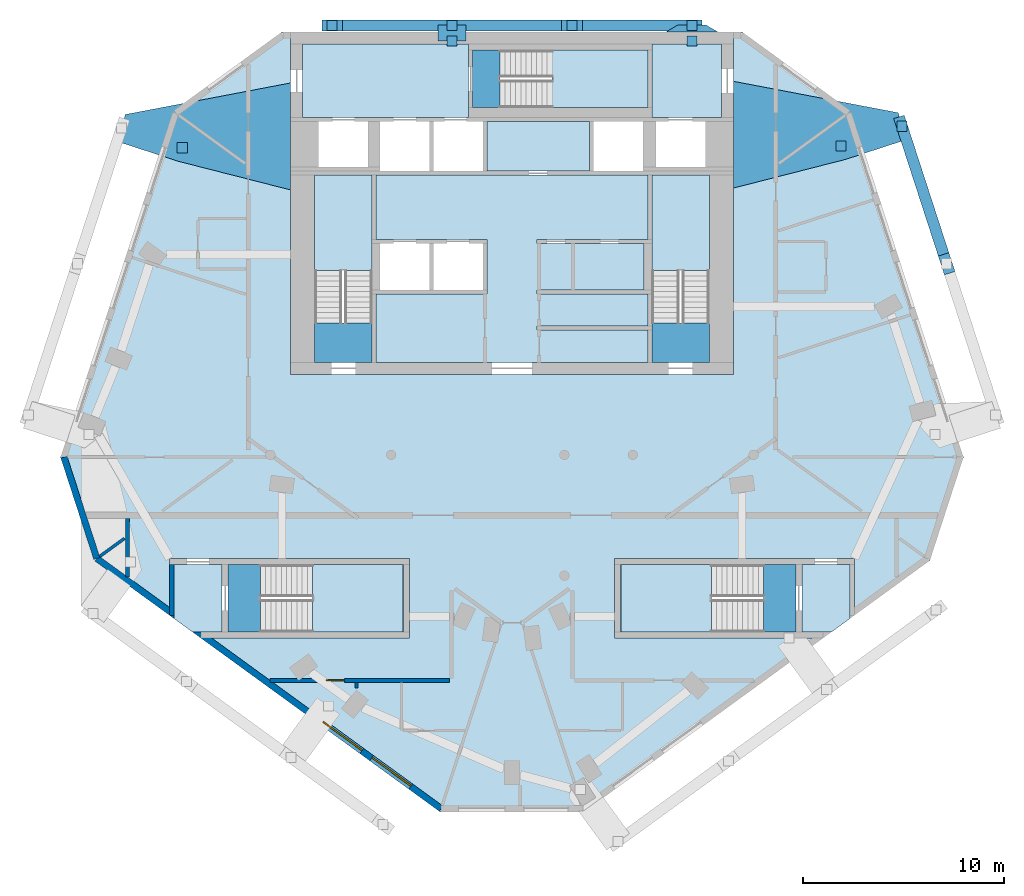
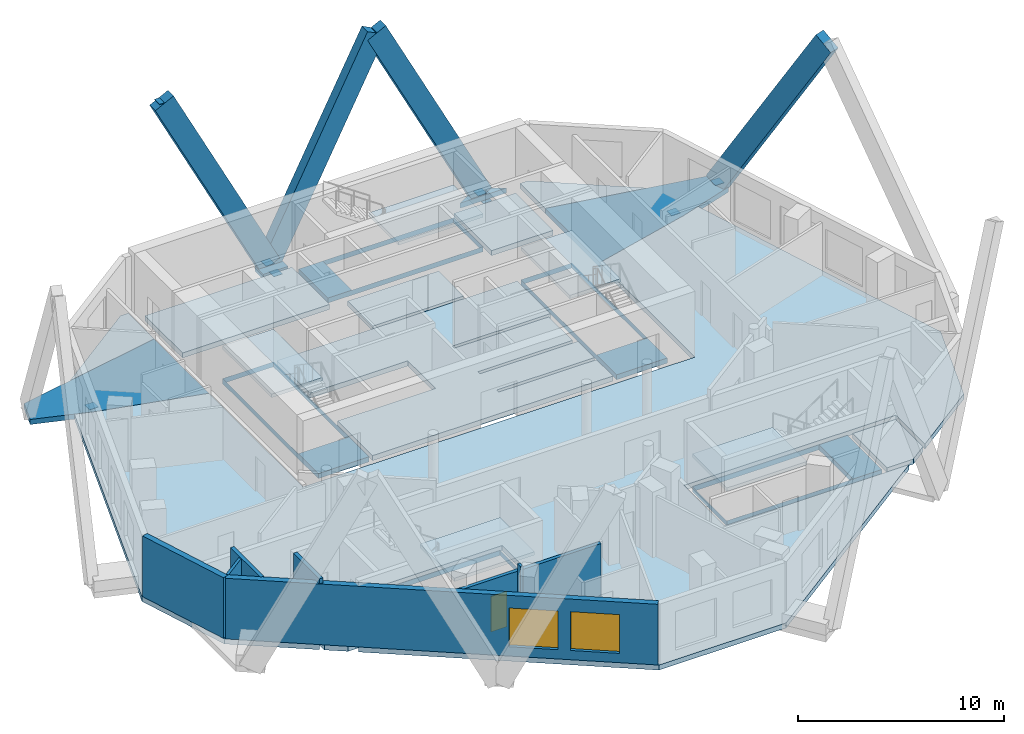
# One storey, part 2 of 8: 17 slabs, 9 discrete accessories, 8 members, 7 walls, 2 windows, 1 door, 3 openings, 5 elements without a shape of their own.
"""IFC4 building model written with IfcOpenShell, lengths in metres."""

from ifc_helpers import new_model, si_unit, direction, frame, frame_2d, origin, origin_2d, place, context, subcontext, project, spatial, polyline, rectangle, outline, extrude, material, layer, layer_set, material_profile, profile_set, type_object, element, fill, aggregate, save


model = new_model("IFC4")

# Units and contexts
model_context = context("Model", 3, precision=1e-05, world=origin(), true_north=direction((0.0, 1.0)))
body_context = subcontext(model_context, "Body", "Model", "MODEL_VIEW")
ifc_project = project(units=[si_unit("LENGTHUNIT", "METRE"), si_unit("AREAUNIT", "SQUARE_METRE"), si_unit("VOLUMEUNIT", "CUBIC_METRE"), si_unit("PLANEANGLEUNIT", "RADIAN"), si_unit("MASSUNIT", "GRAM", prefix="KILO")], contexts=[model_context])

# Site, building, storey
site_placement = place(None, origin())
site = spatial("IfcSite", under=ifc_project, at=site_placement, CompositionType="ELEMENT")
building_placement = place(site_placement, origin())
building = spatial("IfcBuilding", under=site, at=building_placement, Name="White Candle Pilgrim Tower", CompositionType="ELEMENT")
storey_placement = place(building_placement, frame((0.0, 0.0, 306.10009765625)))
storey = spatial("IfcBuildingStorey", under=building, at=storey_placement, Name="L72", CompositionType="ELEMENT", Elevation=306.10009765625)

# Member
ifc_material_1 = material(Name="Concrete C60/75, white", Category="concrete")
ifc_material_profile = material_profile(ifc_material_1, rectangle(XDim=0.550048828125, YDim=1.14990234375, at=origin_2d()), Name="RC-DG 550x1150")
ifc_profile_set = profile_set([ifc_material_profile], Name="Concrete C60/75, white")
member_type_1 = type_object("IfcMemberType", Name="Exoskeleton diagonal RC-DG 550x1150 C60/75", PredefinedType="BRACE", material=ifc_profile_set)
member_1_placement = place(storey_placement, frame((78.93701171875, 88.324951171875, 0.0), z_axis=(-0.453783992732, 0.0, 0.891111714624), x_axis=(0.0, -1.0, 0.0)))
member_1 = element("IfcMember", 1, at=member_1_placement, inside=storey, type_object=member_type_1, Name="Exoskeleton diagonal EX293", PredefinedType="BRACE", context=body_context, shape_type="SweptSolid", body=[
    extrude(rectangle(XDim=0.550048828125, YDim=1.14990234375, at=origin_2d()), origin(), (0.0, 0.0, 1.0), 13.129638671875),
])

member_2_placement = place(storey_placement, frame((67.02099609375, 88.324951171875, 0.0), z_axis=(0.453783992732, 0.0, 0.891111714624), x_axis=(0.0, 1.0, 0.0)))
member_2 = element("IfcMember", 2, at=member_2_placement, inside=storey, type_object=member_type_1, Name="Exoskeleton diagonal EX294", PredefinedType="BRACE", context=body_context, shape_type="SweptSolid", body=[
    extrude(rectangle(XDim=0.550048828125, YDim=1.14990234375, at=origin_2d()), origin(), (0.0, 0.0, 1.0), 13.129638671875),
])

member_3_placement = place(storey_placement, frame((67.02099609375, 88.324951171875, 0.0), z_axis=(-0.453783992732, 0.0, 0.891111714624), x_axis=(0.0, -1.0, 0.0)))
member_3 = element("IfcMember", 3, at=member_3_placement, inside=storey, type_object=member_type_1, Name="Exoskeleton diagonal EX295", PredefinedType="BRACE", context=body_context, shape_type="SweptSolid", body=[
    extrude(rectangle(XDim=0.550048828125, YDim=1.14990234375, at=origin_2d()), origin(), (0.0, 0.0, 1.0), 13.129638671875),
])

member_4_placement = place(storey_placement, frame((89.3701171875, 83.321533203125, 0.0), z_axis=(0.161629228576, -0.497443829587, 0.852306065258), x_axis=(0.951056555305, 0.309016874316, 0.0)))
member_4 = element("IfcMember", 4, at=member_4_placement, inside=storey, type_object=member_type_1, Name="Exoskeleton diagonal EX300", PredefinedType="BRACE", context=body_context, shape_type="SweptSolid", body=[
    extrude(rectangle(XDim=0.550048828125, YDim=1.14990234375, at=origin_2d()), origin(), (0.0, 0.0, 1.0), 13.727294921875),
])

ifc_material_2 = material(Name="Concrete C70/85, white", Category="concrete")
ifc_layer_1 = layer(ifc_material_2, 0.300048828125)
ifc_layer_set_1 = layer_set([ifc_layer_1], Name="Node tie strut 3200x1400x300 C70/85")
member_type_2 = type_object("IfcMemberType", Name="Node tie strut 3200x1400x300 C70/85", PredefinedType="STRUT", material=ifc_layer_set_1)
member_5_placement = place(storey_placement, frame((0.0, 0.0, -0.300048828125)))
member_5 = element("IfcMember", 5, at=member_5_placement, inside=storey, type_object=member_type_2, Name="Node tie strut NC250", PredefinedType="STRUT", context=body_context, shape_type="SweptSolid", body=[
    extrude(outline(polyline([(81.0, 80.25146484375), (86.566650390625, 81.6748046875), (89.610107421875, 82.66357421875), (89.177490234375, 83.9951171875), (81.0, 85.5537109375), (81.0, 80.25146484375)])), origin(), (0.0, 0.0, 1.0), 0.300048828125),
])

member_6_placement = place(storey_placement, frame((0.0, 0.0, -0.300048828125)))
member_6 = element("IfcMember", 6, at=member_6_placement, inside=storey, type_object=member_type_2, Name="Node tie strut NC257", PredefinedType="STRUT", context=body_context, shape_type="SweptSolid", body=[
    extrude(outline(polyline([(59.0, 80.1591796875), (59.0, 85.47216796875), (50.794189453125, 83.907470703125), (50.361572265625, 82.575927734375), (53.40478515625, 81.587158203125), (59.0, 80.1591796875)])), origin(), (0.0, 0.0, 1.0), 0.300048828125),
])

ifc_layer_2 = layer(ifc_material_2, 0.300048828125)
ifc_layer_set_2 = layer_set([ifc_layer_2], Name="Node tie strut 800x1400x300 C70/85")
member_type_3 = type_object("IfcMemberType", Name="Node tie strut 800x1400x300 C70/85", PredefinedType="STRUT", material=ifc_layer_set_2)
member_7_placement = place(storey_placement, frame((0.0, 0.0, -0.300048828125)))
member_7 = element("IfcMember", 7, at=member_7_placement, inside=storey, type_object=member_type_3, Name="Node tie strut NC251", PredefinedType="STRUT", context=body_context, shape_type="SweptSolid", body=[
    extrude(outline(polyline([(77.636962890625, 88.0), (80.237060546875, 88.0), (79.636962890625, 88.35009765625), (78.237060546875, 88.35009765625), (77.636962890625, 88.0)])), origin(), (0.0, 0.0, 1.0), 0.300048828125),
])

member_8_placement = place(storey_placement, frame((67.02099609375, 87.949951171875, -0.30029296875), z_axis=(0.0, 0.0, 1.0), x_axis=(-1.0, 0.0, 0.0)))
member_8 = element("IfcMember", 8, at=member_8_placement, inside=storey, type_object=member_type_3, Name="Node tie strut NC252", PredefinedType="STRUT", context=body_context, shape_type="SweptSolid", body=[
    extrude(rectangle(XDim=1.39990234375, YDim=0.800048828125, at=origin_2d()), origin(), (0.0, 0.0, 1.0), 0.300048828125),
])

# Slabs
ifc_material_3 = material(Name="Concrete C40/50", Category="concrete")
ifc_layer_3 = layer(ifc_material_3, 0.300048828125)
ifc_layer_set_3 = layer_set([ifc_layer_3], Name="Core floor slab 300 mm Concrete C40/50")
slab_type_1 = type_object("IfcSlabType", Name="Core floor slab 300 mm Concrete C40/50", PredefinedType="FLOOR", material=ifc_layer_set_3)
slab_1_placement = place(storey_placement, frame((0.0, 0.0, -0.300048828125)))
element("IfcSlab", 9, at=slab_1_placement, inside=storey, type_object=slab_type_1, Name="CF-L72-01", PredefinedType="FLOOR", context=body_context, shape_type="SweptSolid", body=[
    extrude(outline(polyline([(54.5458984375, 58.199951171875), (54.133056640625, 58.199951171875), (53.199951171875, 58.8779296875), (53.199951171875, 59.023193359375), (53.199951171875, 61.550048828125), (55.60009765625, 61.550048828125), (55.60009765625, 58.199951171875), (54.5458984375, 58.199951171875)])), origin(), (0.0, 0.0, 1.0), 0.300048828125),
])
slab_2_placement = place(storey_placement, frame((0.0, 0.0, -0.300048828125)))
element("IfcSlab", 10, at=slab_2_placement, inside=storey, type_object=slab_type_1, Name="CF-L72-02", PredefinedType="FLOOR", context=body_context, shape_type="SweptSolid", body=[
    extrude(outline(polyline([(55.89990234375, 58.199951171875), (55.89990234375, 61.550048828125), (64.60009765625, 61.550048828125), (64.60009765625, 58.199951171875), (55.89990234375, 58.199951171875)]), holes=[polyline([(57.501953125, 61.548095703125), (57.501953125, 58.201904296875), (64.597900390625, 58.201904296875), (64.597900390625, 61.548095703125), (57.501953125, 61.548095703125)])]), origin(), (0.0, 0.0, 1.0), 0.300048828125),
])
slab_3_placement = place(storey_placement, frame((0.0, 0.0, -0.300048828125)))
element("IfcSlab", 11, at=slab_3_placement, inside=storey, type_object=slab_type_1, Name="CF-L72-03", PredefinedType="FLOOR", context=body_context, shape_type="SweptSolid", body=[
    extrude(outline(polyline([(75.39990234375, 58.199951171875), (75.39990234375, 61.550048828125), (84.10009765625, 61.550048828125), (84.10009765625, 58.199951171875), (75.39990234375, 58.199951171875)]), holes=[polyline([(82.498046875, 58.201904296875), (82.498046875, 61.548095703125), (75.402099609375, 61.548095703125), (75.402099609375, 58.201904296875), (82.498046875, 58.201904296875)])]), origin(), (0.0, 0.0, 1.0), 0.300048828125),
])
slab_4_placement = place(storey_placement, frame((0.0, 0.0, -0.300048828125)))
element("IfcSlab", 12, at=slab_4_placement, inside=storey, type_object=slab_type_1, Name="CF-L72-04", PredefinedType="FLOOR", context=body_context, shape_type="SweptSolid", body=[
    extrude(outline(polyline([(86.800048828125, 59.023193359375), (86.800048828125, 58.8779296875), (85.866943359375, 58.199951171875), (85.4541015625, 58.199951171875), (84.39990234375, 58.199951171875), (84.39990234375, 61.550048828125), (86.800048828125, 61.550048828125), (86.800048828125, 59.023193359375)])), origin(), (0.0, 0.0, 1.0), 0.300048828125),
])
slab_5_placement = place(storey_placement, frame((0.0, 0.0, -0.300048828125)))
element("IfcSlab", 13, at=slab_5_placement, inside=storey, type_object=slab_type_1, Name="CF-L72-05", PredefinedType="FLOOR", context=body_context, shape_type="SweptSolid", body=[
    extrude(outline(polyline([(76.949951171875, 71.60009765625), (76.949951171875, 73.199951171875), (76.949951171875, 73.39990234375), (76.949951171875, 75.0), (76.949951171875, 75.199951171875), (76.949951171875, 77.5), (76.949951171875, 77.699951171875), (76.949951171875, 80.89990234375), (79.800048828125, 80.89990234375), (79.800048828125, 71.60009765625), (76.949951171875, 71.60009765625)]), holes=[polyline([(76.951904296875, 73.552001953125), (79.798095703125, 73.552001953125), (79.798095703125, 80.89794921875), (76.951904296875, 80.89794921875), (76.951904296875, 73.552001953125)])]), origin(), (0.0, 0.0, 1.0), 0.300048828125),
])
slab_6_placement = place(storey_placement, frame((0.0, 0.0, -0.300048828125)))
element("IfcSlab", 14, at=slab_6_placement, inside=storey, type_object=slab_type_1, Name="CF-L72-06", PredefinedType="FLOOR", context=body_context, shape_type="SweptSolid", body=[
    extrude(outline(polyline([(63.25, 71.60009765625), (63.25, 75.0), (68.75, 75.0), (68.75, 75.199951171875), (68.75, 77.5), (68.75, 77.699951171875), (63.25, 77.699951171875), (63.25, 80.89990234375), (76.75, 80.89990234375), (76.75, 77.699951171875), (71.25, 77.699951171875), (71.25, 77.5), (76.550048828125, 77.5), (76.550048828125, 75.199951171875), (71.25, 75.199951171875), (71.25, 75.0), (76.75, 75.0), (76.75, 73.39990234375), (71.25, 73.39990234375), (71.25, 73.199951171875), (76.75, 73.199951171875), (76.75, 71.60009765625), (63.25, 71.60009765625)])), origin(), (0.0, 0.0, 1.0), 0.300048828125),
])
slab_7_placement = place(storey_placement, frame((0.0, 0.0, -0.300048828125)))
element("IfcSlab", 15, at=slab_7_placement, inside=storey, type_object=slab_type_1, Name="CF-L72-07", PredefinedType="FLOOR", context=body_context, shape_type="SweptSolid", body=[
    extrude(outline(polyline([(60.199951171875, 71.60009765625), (60.199951171875, 80.89990234375), (63.050048828125, 80.89990234375), (63.050048828125, 77.699951171875), (63.050048828125, 77.5), (63.050048828125, 75.199951171875), (63.050048828125, 75.0), (63.050048828125, 71.60009765625), (60.199951171875, 71.60009765625)]), holes=[polyline([(60.201904296875, 73.552001953125), (63.048095703125, 73.552001953125), (63.048095703125, 80.89794921875), (60.201904296875, 80.89794921875), (60.201904296875, 73.552001953125)])]), origin(), (0.0, 0.0, 1.0), 0.300048828125),
])
slab_8_placement = place(storey_placement, frame((0.0, 0.0, -0.300048828125)))
element("IfcSlab", 16, at=slab_8_placement, inside=storey, type_object=slab_type_1, Name="CF-L72-08", PredefinedType="FLOOR", context=body_context, shape_type="SweptSolid", body=[
    extrude(outline(polyline([(59.60009765625, 87.39990234375), (67.85009765625, 87.39990234375), (67.85009765625, 87.10009765625), (67.85009765625, 84.25), (67.85009765625, 83.75), (59.60009765625, 83.75), (59.60009765625, 87.39990234375)])), origin(), (0.0, 0.0, 1.0), 0.300048828125),
])
slab_9_placement = place(storey_placement, frame((0.0, 0.0, -0.300048828125)))
element("IfcSlab", 17, at=slab_9_placement, inside=storey, type_object=slab_type_1, Name="CF-L72-09", PredefinedType="FLOOR", context=body_context, shape_type="SweptSolid", body=[
    extrude(outline(polyline([(80.39990234375, 87.39990234375), (80.39990234375, 83.75), (76.949951171875, 83.75), (76.949951171875, 84.25), (76.949951171875, 87.10009765625), (76.949951171875, 87.39990234375), (80.39990234375, 87.39990234375)])), origin(), (0.0, 0.0, 1.0), 0.300048828125),
])
slab_10_placement = place(storey_placement, frame((0.0, 0.0, -0.300048828125)))
element("IfcSlab", 18, at=slab_10_placement, inside=storey, type_object=slab_type_1, Name="CF-L72-10", PredefinedType="FLOOR", context=body_context, shape_type="SweptSolid", body=[
    extrude(outline(polyline([(68.75, 81.10009765625), (68.75, 83.550048828125), (73.85009765625, 83.550048828125), (73.85009765625, 81.10009765625), (68.75, 81.10009765625)])), origin(), (0.0, 0.0, 1.0), 0.300048828125),
])
slab_11_placement = place(storey_placement, frame((0.0, 0.0, -0.300048828125)))
element("IfcSlab", 19, at=slab_11_placement, inside=storey, type_object=slab_type_1, Name="CF-L72-11", PredefinedType="FLOOR", context=body_context, shape_type="SweptSolid", body=[
    extrude(outline(polyline([(68.050048828125, 87.10009765625), (76.75, 87.10009765625), (76.75, 84.25), (68.050048828125, 84.25), (68.050048828125, 87.10009765625)]), holes=[polyline([(69.402099609375, 84.251953125), (76.748046875, 84.251953125), (76.748046875, 87.097900390625), (69.402099609375, 87.097900390625), (69.402099609375, 84.251953125)])]), origin(), (0.0, 0.0, 1.0), 0.300048828125),
])
ifc_layer_4 = layer(ifc_material_3, 0.300048828125)
ifc_layer_set_4 = layer_set([ifc_layer_4], Name="Floor slab 300 REI 120")
slab_type_2 = type_object("IfcSlabType", Name="Floor slab 300 REI 120", PredefinedType="FLOOR", material=ifc_layer_set_4)
slab_12_placement = place(storey_placement, frame((0.0, 0.0, -0.300048828125)))
element("IfcSlab", 20, at=slab_12_placement, inside=storey, type_object=slab_type_2, Name="L72 floor slab", PredefinedType="FLOOR", context=body_context, shape_type="SweptSolid", body=[
    extrude(outline(polyline([(66.426513671875, 49.268310546875), (73.573486328125, 49.268310546875), (85.4541015625, 57.89990234375), (75.10009765625, 57.89990234375), (75.10009765625, 61.85009765625), (87.0, 61.85009765625), (87.0, 59.023193359375), (90.756591796875, 61.752685546875), (92.424072265625, 66.8837890625), (86.837890625, 84.075927734375), (81.43701171875, 88.0), (81.0, 88.0), (81.0, 71.0), (59.0, 71.0), (59.0, 88.0), (58.56298828125, 88.0), (53.162109375, 84.075927734375), (47.575927734375, 66.8837890625), (49.243408203125, 61.752685546875), (53.0, 59.023193359375), (53.0, 61.85009765625), (64.89990234375, 61.85009765625), (64.89990234375, 57.89990234375), (54.5458984375, 57.89990234375), (66.426513671875, 49.268310546875)])), origin(), (0.0, 0.0, 1.0), 0.300048828125),
])

# Stair, slab
stair_type_1 = type_object("IfcStairType", Name="Exit stair 1 flight width 1350 mm", PredefinedType="HALF_TURN_STAIR", material=ifc_material_3)
stair_1_placement = place(storey_placement, origin())
stair_1 = element("IfcStair", 21, at=stair_1_placement, inside=storey, type_object=stair_type_1, Name="L72 stair 1", PredefinedType="NOTDEFINED")
ifc_layer_5 = layer(ifc_material_3, 0.199951171875)
ifc_layer_set_5 = layer_set([ifc_layer_5], Name="Stair landing Concrete C40/50")
slab_type_3 = type_object("IfcSlabType", Name="Stair landing Concrete C40/50", PredefinedType="LANDING", material=ifc_layer_set_5)
slab_13_placement = place(storey_placement, frame((0.0, 0.0, 1.75)))
slab_13 = element("IfcSlab", 22, at=slab_13_placement, type_object=slab_type_3, Name="ST1 landing 1", PredefinedType="LANDING", context=body_context, shape_type="SweptSolid", body=[
    extrude(outline(polyline([(63.052001953125, 76.14794921875), (60.197998046875, 76.14794921875), (60.197998046875, 80.902099609375), (63.052001953125, 80.902099609375), (63.052001953125, 76.14794921875)])), origin(), (0.0, 0.0, 1.0), 0.199951171875),
])
aggregate(stair_1, [slab_13])

stair_type_2 = type_object("IfcStairType", Name="Exit stair 2 flight width 1350 mm", PredefinedType="HALF_TURN_STAIR", material=ifc_material_3)
stair_2_placement = place(storey_placement, origin())
stair_2 = element("IfcStair", 23, at=stair_2_placement, inside=storey, type_object=stair_type_2, Name="L72 stair 2", PredefinedType="NOTDEFINED")
slab_14_placement = place(storey_placement, frame((0.0, 0.0, 1.75)))
slab_14 = element("IfcSlab", 24, at=slab_14_placement, type_object=slab_type_3, Name="ST2 landing 1", PredefinedType="LANDING", context=body_context, shape_type="SweptSolid", body=[
    extrude(outline(polyline([(79.802001953125, 76.14794921875), (76.947998046875, 76.14794921875), (76.947998046875, 80.902099609375), (79.802001953125, 80.902099609375), (79.802001953125, 76.14794921875)])), origin(), (0.0, 0.0, 1.0), 0.199951171875),
])
aggregate(stair_2, [slab_14])

stair_type_3 = type_object("IfcStairType", Name="Exit stair 3 flight width 1350 mm", PredefinedType="HALF_TURN_STAIR", material=ifc_material_3)
stair_3_placement = place(storey_placement, origin())
stair_3 = element("IfcStair", 25, at=stair_3_placement, inside=storey, type_object=stair_type_3, Name="L72 stair 3", PredefinedType="NOTDEFINED")
slab_15_placement = place(storey_placement, frame((0.0, 0.0, 1.75)))
slab_15 = element("IfcSlab", 26, at=slab_15_placement, type_object=slab_type_3, Name="ST3 landing 1", PredefinedType="LANDING", context=body_context, shape_type="SweptSolid", body=[
    extrude(outline(polyline([(71.998046875, 84.248046875), (71.998046875, 87.10205078125), (76.751953125, 87.10205078125), (76.751953125, 84.248046875), (71.998046875, 84.248046875)])), origin(), (0.0, 0.0, 1.0), 0.199951171875),
])
aggregate(stair_3, [slab_15])

stair_type_4 = type_object("IfcStairType", Name="Exit stair 4 flight width 1600 mm", PredefinedType="HALF_TURN_STAIR", material=ifc_material_3)
stair_4_placement = place(storey_placement, origin())
stair_4 = element("IfcStair", 27, at=stair_4_placement, inside=storey, type_object=stair_type_4, Name="L72 stair 4", PredefinedType="NOTDEFINED")
slab_16_placement = place(storey_placement, frame((0.0, 0.0, 1.75)))
slab_16 = element("IfcSlab", 28, at=slab_16_placement, type_object=slab_type_3, Name="ST4 landing 1", PredefinedType="LANDING", context=body_context, shape_type="SweptSolid", body=[
    extrude(outline(polyline([(79.902099609375, 61.552001953125), (79.902099609375, 58.197998046875), (75.39794921875, 58.197998046875), (75.39794921875, 61.552001953125), (79.902099609375, 61.552001953125)])), origin(), (0.0, 0.0, 1.0), 0.199951171875),
])
aggregate(stair_4, [slab_16])

stair_type_5 = type_object("IfcStairType", Name="Exit stair 5 flight width 1600 mm", PredefinedType="HALF_TURN_STAIR", material=ifc_material_3)
stair_5_placement = place(storey_placement, origin())
stair_5 = element("IfcStair", 29, at=stair_5_placement, inside=storey, type_object=stair_type_5, Name="L72 stair 5", PredefinedType="NOTDEFINED")
slab_17_placement = place(storey_placement, frame((0.0, 0.0, 1.75)))
slab_17 = element("IfcSlab", 30, at=slab_17_placement, type_object=slab_type_3, Name="ST5 landing 1", PredefinedType="LANDING", context=body_context, shape_type="SweptSolid", body=[
    extrude(outline(polyline([(60.097900390625, 58.197998046875), (60.097900390625, 61.552001953125), (64.60205078125, 61.552001953125), (64.60205078125, 58.197998046875), (60.097900390625, 58.197998046875)])), origin(), (0.0, 0.0, 1.0), 0.199951171875),
])
aggregate(stair_5, [slab_17])

# Walls
ifc_layer_6 = layer(ifc_material_3, 0.199951171875)
ifc_layer_set_6 = layer_set([ifc_layer_6], Name="Core wall 200 mm Concrete C40/50")
wall_type_1 = type_object("IfcWallType", Name="Core wall 200 mm Concrete C40/50", PredefinedType="SHEAR", material=ifc_layer_set_6)
wall_1_placement = place(storey_placement, frame((53.10009765625, 59.023193359375, 0.0), z_axis=(0.0, 0.0, 1.0), x_axis=(0.0, 1.0, 0.0)))
element("IfcWall", 31, at=wall_1_placement, inside=storey, type_object=wall_type_1, Name="WL-L72-C07", PredefinedType="SHEAR", context=body_context, shape_type="SweptSolid", body=[
    extrude(rectangle(XDim=2.52685546875, YDim=0.199951171875, at=frame_2d((1.263427734375, 0.0))), origin(), (0.0, 0.0, 1.0), 3.89990234375),
])
ifc_material_4 = material(Name="Gypsum board on steel studs", Category="steel")
ifc_layer_7 = layer(ifc_material_4, 0.199951171875)
ifc_layer_set_7 = layer_set([ifc_layer_7], Name="Corridor wall 200 mm EI 45")
wall_type_2 = type_object("IfcWallType", Name="Corridor wall 200 mm EI 45", PredefinedType="PARTITIONING", material=ifc_layer_set_7)
wall_2_placement = place(storey_placement, frame((50.89990234375, 60.9443359375, 0.0), z_axis=(0.0, 0.0, 1.0), x_axis=(0.0, 1.0, 0.0)))
element("IfcWall", 32, at=wall_2_placement, inside=storey, type_object=wall_type_2, Name="WL-L72-P002", PredefinedType="PARTITIONING", context=body_context, shape_type="SweptSolid", body=[
    extrude(rectangle(XDim=2.90576171875, YDim=0.199951171875, at=frame_2d((1.452880859375, 0.0))), origin(), (0.0, 0.0, 1.0), 3.599853515625),
])

# Wall, opening, door
wall_3_placement = place(storey_placement, frame((66.89990234375, 55.800048828125, 0.0), z_axis=(0.0, 0.0, 1.0), x_axis=(-1.0, 0.0, 0.0)))
wall_3 = element("IfcWall", 33, at=wall_3_placement, inside=storey, type_object=wall_type_2, Name="WL-L72-P014", PredefinedType="PARTITIONING", context=body_context, shape_type="SweptSolid", body=[
    extrude(rectangle(XDim=8.919189453125, YDim=0.199951171875, at=frame_2d((4.45947265625, 0.0))), origin(), (0.0, 0.0, 1.0), 3.14990234375),
])
opening_1_placement = place(wall_3_placement, frame((5.227294921875, 0.0, 0.0)))
opening_1 = element("IfcOpeningElement", 34, at=opening_1_placement, cuts=wall_3, Name="Opening T22-103", PredefinedType="OPENING", context=body_context, shape_type="SweptSolid", body=[
    extrude(rectangle(XDim=0.89990234375, YDim=2.10009765625, at=frame_2d((0.449951171875, 1.050048828125))), frame((0.0, 0.10986328125, 0.0), z_axis=(0.0, -1.0, 0.0), x_axis=(1.0, 0.0, 0.0)), (0.0, 0.0, 1.0), 0.219970703125),
])
ifc_material_5 = material(Name="Steel door leaf", Category="steel")
door_type = type_object("IfcDoorType", Name="Fire door 900 x 2100 EI 30", OperationType="NOTDEFINED", PredefinedType="DOOR", material=ifc_material_5)
door_placement = place(opening_1_placement, origin())
door = element("IfcDoor", 35, at=door_placement, inside=storey, type_object=door_type, Name="Door T22-103", OperationType="SINGLE_SWING_LEFT", OverallHeight=2.10009765625, OverallWidth=0.89990234375, PredefinedType="DOOR", context=body_context, shape_type="SweptSolid", body=[
    extrude(rectangle(XDim=0.89990234375, YDim=2.10009765625, at=frame_2d((0.449951171875, 1.050048828125))), frame((0.0, 0.02490234375, 0.0), z_axis=(0.0, -1.0, 0.0), x_axis=(1.0, 0.0, 0.0)), (0.0, 0.0, 1.0), 0.050048828125),
])
fill(opening_1, door)

# Wall
ifc_material_6 = material(Name="Precast concrete C40/50", Category="concrete")
ifc_layer_8 = layer(ifc_material_6, 0.320068359375)
ifc_layer_set_8 = layer_set([ifc_layer_8], Name="Facade wall EW1 precast concrete C40/50 pier wall with timber-lined reveals")
wall_type_3 = type_object("IfcWallType", Name="Facade wall EW1 precast concrete C40/50 pier wall with timber-lined reveals", PredefinedType="SOLIDWALL", material=ifc_layer_set_8)
wall_4_placement = place(storey_placement, frame((47.744140625, 66.8837890625, 0.0), z_axis=(0.0, 0.0, 1.0), x_axis=(0.30904851291, -0.951046274725, 0.0)))
element("IfcWall", 36, at=wall_4_placement, inside=storey, type_object=wall_type_3, Name="Facade wall L72 W chamfer", PredefinedType="SOLIDWALL", context=body_context, shape_type="SweptSolid", body=[
    extrude(rectangle(XDim=5.291259765625, YDim=0.320068359375, at=frame_2d((2.6455078125, 0.0))), origin(), (0.0, 0.0, 1.0), 3.599853515625),
])

# Wall, openings, windows
wall_5_placement = place(storey_placement, frame((49.37939453125, 61.8515625, 0.0), z_axis=(0.0, 0.0, 1.0), x_axis=(0.809014717996, -0.587788385447, 0.0)))
wall_5 = element("IfcWall", 37, at=wall_5_placement, inside=storey, type_object=wall_type_3, Name="Facade wall L72 SW", PredefinedType="SOLIDWALL", context=body_context, shape_type="SweptSolid", body=[
    extrude(rectangle(XDim=21.1357421875, YDim=0.320068359375, at=frame_2d((10.56787109375, 0.0))), origin(), (0.0, 0.0, 1.0), 3.599853515625),
])
opening_2_placement = place(wall_5_placement, frame((13.867919921875, 0.0, 0.550048828125)))
opening_2 = element("IfcOpeningElement", 38, at=opening_2_placement, cuts=wall_5, Name="Opening W5", PredefinedType="OPENING", context=body_context, shape_type="SweptSolid", body=[
    extrude(rectangle(XDim=2.39990234375, YDim=2.300048828125, at=frame_2d((1.199951171875, 1.14990234375))), frame((0.0, 0.169921875, 0.0), z_axis=(0.0, -1.0, 0.0), x_axis=(1.0, 0.0, 0.0)), (0.0, 0.0, 1.0), 0.340087890625),
])
opening_3_placement = place(wall_5_placement, frame((16.867919921875, 0.0, 0.550048828125)))
opening_3 = element("IfcOpeningElement", 39, at=opening_3_placement, cuts=wall_5, Name="Opening W5", PredefinedType="OPENING", context=body_context, shape_type="SweptSolid", body=[
    extrude(rectangle(XDim=2.39990234375, YDim=2.300048828125, at=frame_2d((1.199951171875, 1.14990234375))), frame((0.0, 0.169921875, 0.0), z_axis=(0.0, -1.0, 0.0), x_axis=(1.0, 0.0, 0.0)), (0.0, 0.0, 1.0), 0.340087890625),
])
ifc_material_7 = material(Name="Timber frame with triple glazing", Category="wood")
window_type = type_object("IfcWindowType", Name="Window W5 2400x2300 timber frame triple glazing", PartitioningType="SINGLE_PANEL", PredefinedType="WINDOW", material=ifc_material_7)
window_1_placement = place(opening_2_placement, origin())
window_1 = element("IfcWindow", 40, at=window_1_placement, inside=storey, type_object=window_type, Name="Window W5 L72 SW 5", OverallHeight=2.300048828125, OverallWidth=2.39990234375, PartitioningType="SINGLE_PANEL", PredefinedType="WINDOW", context=body_context, shape_type="SweptSolid", body=[
    extrude(rectangle(XDim=2.39990234375, YDim=2.300048828125, at=frame_2d((1.199951171875, 1.14990234375))), frame((0.0, 0.070068359375, 0.0), z_axis=(0.0, -1.0, 0.0), x_axis=(1.0, 0.0, 0.0)), (0.0, 0.0, 1.0), 0.06005859375),
])
fill(opening_2, window_1)
window_2_placement = place(opening_3_placement, origin())
window_2 = element("IfcWindow", 41, at=window_2_placement, inside=storey, type_object=window_type, Name="Window W5 L72 SW 6", OverallHeight=2.300048828125, OverallWidth=2.39990234375, PartitioningType="SINGLE_PANEL", PredefinedType="WINDOW", context=body_context, shape_type="SweptSolid", body=[
    extrude(rectangle(XDim=2.39990234375, YDim=2.300048828125, at=frame_2d((1.199951171875, 1.14990234375))), frame((0.0, 0.070068359375, 0.0), z_axis=(0.0, -1.0, 0.0), x_axis=(1.0, 0.0, 0.0)), (0.0, 0.0, 1.0), 0.06005859375),
])
fill(opening_3, window_2)

# Walls
ifc_layer_9 = layer(ifc_material_4, 0.14990234375)
ifc_layer_set_9 = layer_set([ifc_layer_9], Name="Partition 150 mm EI 60")
wall_type_4 = type_object("IfcWallType", Name="Partition 150 mm EI 60", PredefinedType="PARTITIONING", material=ifc_layer_set_9)
wall_6_placement = place(storey_placement, frame((49.515380859375, 61.950439453125, 0.0), z_axis=(0.0, 0.0, 1.0), x_axis=(0.809059590881, 0.587726618764, 0.0)))
element("IfcWall", 42, at=wall_6_placement, inside=storey, type_object=wall_type_4, Name="WL-L72-P017", PredefinedType="PARTITIONING", context=body_context, shape_type="SweptSolid", body=[
    extrude(rectangle(XDim=1.533203125, YDim=0.14990234375, at=frame_2d((0.7666015625, 0.0))), origin(), (0.0, 0.0, 1.0), 3.599853515625),
])
wall_7_placement = place(storey_placement, frame((62.27587890625, 55.4169921875, 0.0), z_axis=(0.0, 0.0, 1.0), x_axis=(0.0, 1.0, 0.0)))
element("IfcWall", 43, at=wall_7_placement, inside=storey, type_object=wall_type_4, Name="WL-L72-P038", PredefinedType="PARTITIONING", context=body_context, shape_type="SweptSolid", body=[
    extrude(rectangle(XDim=0.282958984375, YDim=0.14990234375, at=frame_2d((0.1416015625, 0.0))), origin(), (0.0, 0.0, 1.0), 3.599853515625),
])

# Discrete accessory
ifc_material_8 = material(Name="Steel S355", Category="steel")
ifc_layer_10 = layer(ifc_material_8, 0.02490234375)
ifc_layer_set_10 = layer_set([ifc_layer_10], Name="Gusset plate 500x500x25 S355")
discrete_accessory_type = type_object("IfcDiscreteAccessoryType", Name="Gusset plate 500x500x25 S355", PredefinedType="BRACKET", material=ifc_layer_set_10)
discrete_accessory_1_placement = place(storey_placement, frame((78.93701171875, 88.324951171875, -0.012451171875), z_axis=(0.0, 0.0, 1.0), x_axis=(1.0, 0.0, 0.0)))
discrete_accessory_1 = element("IfcDiscreteAccessory", 44, at=discrete_accessory_1_placement, type_object=discrete_accessory_type, Name="Gusset plate 0348", PredefinedType="BRACKET", context=body_context, shape_type="SweptSolid", body=[
    extrude(rectangle(XDim=0.5, YDim=0.5, at=origin_2d()), origin(), (0.0, 0.0, 1.0), 0.02490234375),
])

placement = place(building_placement, frame((0.0, 0.0, 317.800048828125)))
discrete_accessory_2_placement = place(placement, frame((72.97900390625, 88.324951171875, -0.012451171875), z_axis=(0.0, 0.0, 1.0), x_axis=(1.0, 0.0, 0.0)))
discrete_accessory_2 = element("IfcDiscreteAccessory", 45, at=discrete_accessory_2_placement, type_object=discrete_accessory_type, Name="Gusset plate 0349", PredefinedType="BRACKET", context=body_context, shape_type="SweptSolid", body=[
    extrude(rectangle(XDim=0.5, YDim=0.5, at=origin_2d()), origin(), (0.0, 0.0, 1.0), 0.02490234375),
])

aggregate(member_1, [discrete_accessory_1, discrete_accessory_2])

discrete_accessory_3_placement = place(storey_placement, frame((67.02099609375, 88.324951171875, -0.012451171875), z_axis=(0.0, 0.0, 1.0), x_axis=(1.0, 0.0, 0.0)))
discrete_accessory_3 = element("IfcDiscreteAccessory", 46, at=discrete_accessory_3_placement, type_object=discrete_accessory_type, Name="Gusset plate 0350", PredefinedType="BRACKET", context=body_context, shape_type="SweptSolid", body=[
    extrude(rectangle(XDim=0.5, YDim=0.5, at=origin_2d()), origin(), (0.0, 0.0, 1.0), 0.02490234375),
])

aggregate(member_2, [discrete_accessory_3])

discrete_accessory_4_placement = place(placement, frame((61.06298828125, 88.324951171875, -0.012451171875), z_axis=(0.0, 0.0, 1.0), x_axis=(1.0, 0.0, 0.0)))
discrete_accessory_4 = element("IfcDiscreteAccessory", 47, at=discrete_accessory_4_placement, type_object=discrete_accessory_type, Name="Gusset plate 0351", PredefinedType="BRACKET", context=body_context, shape_type="SweptSolid", body=[
    extrude(rectangle(XDim=0.5, YDim=0.5, at=origin_2d()), origin(), (0.0, 0.0, 1.0), 0.02490234375),
])

aggregate(member_3, [discrete_accessory_4])

discrete_accessory_5_placement = place(storey_placement, frame((89.3701171875, 83.321533203125, -0.012451171875), z_axis=(0.0, 0.0, 1.0), x_axis=(1.0, 0.0, 0.0)))
discrete_accessory_5 = element("IfcDiscreteAccessory", 48, at=discrete_accessory_5_placement, type_object=discrete_accessory_type, Name="Gusset plate 0356", PredefinedType="BRACKET", context=body_context, shape_type="SweptSolid", body=[
    extrude(rectangle(XDim=0.5, YDim=0.5, at=origin_2d()), origin(), (0.0, 0.0, 1.0), 0.02490234375),
])

aggregate(member_4, [discrete_accessory_5])

discrete_accessory_6_placement = place(storey_placement, frame((86.350341796875, 82.340576171875, -0.16259765625), z_axis=(0.0, 0.0, 1.0), x_axis=(1.0, 0.0, 0.0)))
discrete_accessory_6 = element("IfcDiscreteAccessory", 49, at=discrete_accessory_6_placement, type_object=discrete_accessory_type, Name="Gusset plate 0631", PredefinedType="BRACKET", context=body_context, shape_type="SweptSolid", body=[
    extrude(rectangle(XDim=0.5, YDim=0.5, at=origin_2d()), origin(), (0.0, 0.0, 1.0), 0.02490234375),
])

aggregate(member_5, [discrete_accessory_6])

discrete_accessory_7_placement = place(storey_placement, frame((78.93701171875, 87.550048828125, -0.16259765625), z_axis=(0.0, 0.0, 1.0), x_axis=(1.0, 0.0, 0.0)))
discrete_accessory_7 = element("IfcDiscreteAccessory", 50, at=discrete_accessory_7_placement, type_object=discrete_accessory_type, Name="Gusset plate 0632", PredefinedType="BRACKET", context=body_context, shape_type="SweptSolid", body=[
    extrude(rectangle(XDim=0.5, YDim=0.5, at=origin_2d()), origin(), (0.0, 0.0, 1.0), 0.02490234375),
])

aggregate(member_7, [discrete_accessory_7])

discrete_accessory_8_placement = place(storey_placement, frame((67.02099609375, 87.550048828125, -0.16259765625), z_axis=(0.0, 0.0, 1.0), x_axis=(1.0, 0.0, 0.0)))
discrete_accessory_8 = element("IfcDiscreteAccessory", 51, at=discrete_accessory_8_placement, type_object=discrete_accessory_type, Name="Gusset plate 0633", PredefinedType="BRACKET", context=body_context, shape_type="SweptSolid", body=[
    extrude(rectangle(XDim=0.5, YDim=0.5, at=origin_2d()), origin(), (0.0, 0.0, 1.0), 0.02490234375),
])

aggregate(member_8, [discrete_accessory_8])

discrete_accessory_9_placement = place(storey_placement, frame((53.62109375, 82.2529296875, -0.16259765625), z_axis=(0.0, 0.0, 1.0), x_axis=(1.0, 0.0, 0.0)))
discrete_accessory_9 = element("IfcDiscreteAccessory", 52, at=discrete_accessory_9_placement, type_object=discrete_accessory_type, Name="Gusset plate 0638", PredefinedType="BRACKET", context=body_context, shape_type="SweptSolid", body=[
    extrude(rectangle(XDim=0.5, YDim=0.5, at=origin_2d()), origin(), (0.0, 0.0, 1.0), 0.02490234375),
])

aggregate(member_6, [discrete_accessory_9])

save(model, "model.ifc")
